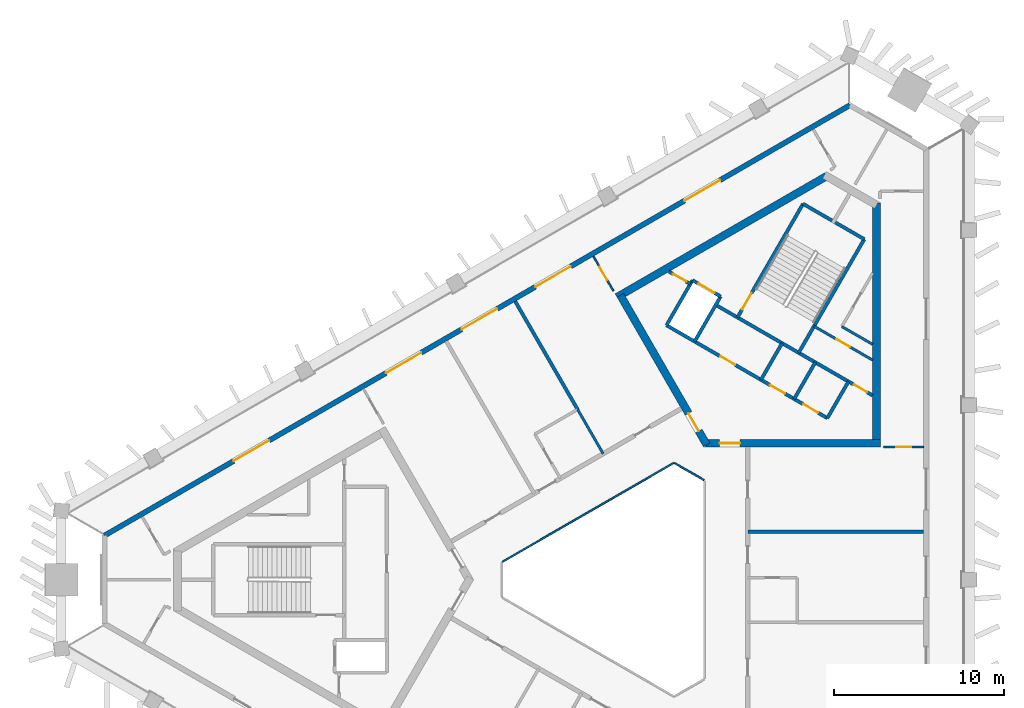
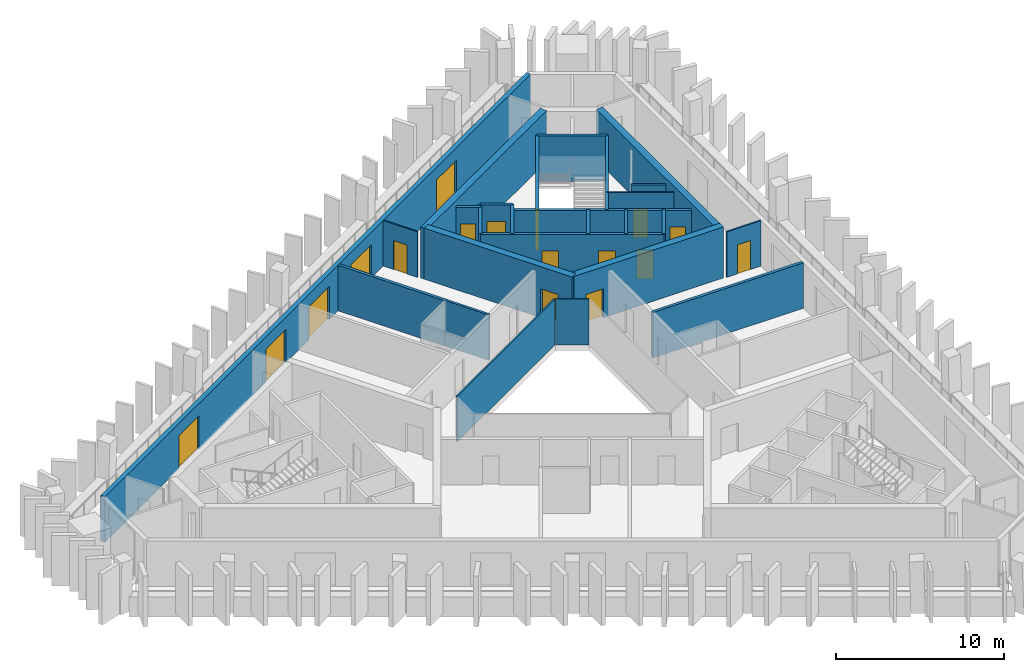
# One storey, part 5 of 9: 26 walls, 17 doors, 17 openings.
"""IFC4 building model written with IfcOpenShell, lengths in metres."""

import ifcopenshell
import ifcopenshell.guid

model = None  # the IFC model being written
_history = None  # IfcOwnerHistory: only IFC2X3 demands one
_inside = {}  # id of a spatial element -> (the spatial element, [elements in it])
_under = {}  # id of a project, library or spatial element -> (it, [spatial elements below it])
_declared = {}  # id of a project -> (the project, [libraries it declares])
_typed = {}  # id of a type object -> (the type object, [elements of that type])
_made_of = {}  # id of a material, layer set ... -> (it, [elements and type objects made of it])


def new_model(schema):
    """Start an empty IFC model of exactly this schema.

    Asked for "IFC4X3", IfcOpenShell would pick the latest addendum, in which some entities
    have other attributes; the version numbers below select the first issue.
    IFC2X3 requires an IfcOwnerHistory on every rooted entity: one is made here for all.
    """
    global model, _history
    if schema == "IFC4X3":
        model = ifcopenshell.file(schema_version=(4, 3, 0, 0))
    else:
        model = ifcopenshell.file(schema=schema)
    _inside.clear()
    _under.clear()
    _declared.clear()
    _typed.clear()
    _made_of.clear()
    _history = None
    if model.schema == "IFC2X3":
        org = make("IfcOrganization", Name="unknown")
        user = make(
            "IfcPersonAndOrganization",
            ThePerson=make("IfcPerson", FamilyName="unknown"),
            TheOrganization=org,
        )
        app = make(
            "IfcApplication",
            ApplicationDeveloper=org,
            Version="unknown",
            ApplicationFullName="unknown",
            ApplicationIdentifier="unknown",
        )
        _history = make(
            "IfcOwnerHistory",
            OwningUser=user,
            OwningApplication=app,
            ChangeAction="ADDED",
            CreationDate=0,
        )
    return model


def make(cls, **values):
    """One entity of the class cls with the attributes given. An attribute that is None is left unset."""
    return model.create_entity(
        cls, **{name: value for name, value in values.items() if value is not None}
    )


def rooted(cls, **values):
    """An entity with a GlobalId (a new one), such as an element, a storey or a relation."""
    return make(cls, GlobalId=ifcopenshell.guid.new(), OwnerHistory=_history, **values)


def si_unit(unit_type, name, prefix=None):
    """IfcSIUnit, for example si_unit("LENGTHUNIT", "METRE", prefix="MILLI")."""
    return make("IfcSIUnit", UnitType=unit_type, Prefix=prefix, Name=name)


def assignment(units):
    """IfcUnitAssignment: the units of a project."""
    return None if units is None else make("IfcUnitAssignment", Units=units)


def point(xyz):
    """IfcCartesianPoint."""
    return None if xyz is None else make("IfcCartesianPoint", Coordinates=xyz)


def direction(xyz):
    """IfcDirection."""
    return None if xyz is None else make("IfcDirection", DirectionRatios=xyz)


def frame(location, z_axis=None, x_axis=None):
    """IfcAxis2Placement3D, a coordinate frame: its origin and axes. An axis left out is left unset."""
    return make(
        "IfcAxis2Placement3D",
        Location=point(location),
        Axis=direction(z_axis),
        RefDirection=direction(x_axis),
    )


def frame_2d(location, x_axis=None):
    """IfcAxis2Placement2D, a coordinate frame in the plane: its origin and x axis."""
    return make(
        "IfcAxis2Placement2D", Location=point(location), RefDirection=direction(x_axis)
    )


def origin():
    """The frame at (0, 0, 0) with its axes left unset."""
    return frame((0.0, 0.0, 0.0))


def place(relative_to, where):
    """IfcLocalPlacement: puts the frame where relative to a parent placement (None: the world)."""
    return make(
        "IfcLocalPlacement", PlacementRelTo=relative_to, RelativePlacement=where
    )


def context(
    kind, dimensions, precision=None, world=None, true_north=None, identifier=None
):
    """IfcGeometricRepresentationContext, for example the 3D "Model" context."""
    return make(
        "IfcGeometricRepresentationContext",
        ContextIdentifier=identifier,
        ContextType=kind,
        CoordinateSpaceDimension=dimensions,
        Precision=precision,
        WorldCoordinateSystem=world,
        TrueNorth=true_north,
    )


def subcontext(parent, identifier, kind, view, scale=None):
    """IfcGeometricRepresentationSubContext, for example "Body" below "Model"."""
    return make(
        "IfcGeometricRepresentationSubContext",
        ContextIdentifier=identifier,
        ContextType=kind,
        ParentContext=parent,
        TargetScale=scale,
        TargetView=view,
    )


def project(units=None, contexts=None):
    """IfcProject with its units and contexts."""
    return rooted(
        "IfcProject",
        Name="project",
        RepresentationContexts=contexts,
        UnitsInContext=assignment(units),
    )


def spatial(cls, under=None, at=None, **own):
    """A site, building, storey or space (cls), placed at a placement, below another one or the project."""
    s = rooted(cls, ObjectPlacement=at, **own)
    if under is not None:
        _under.setdefault(under.id(), (under, []))[1].append(s)
    return s


def profile(cls, at=None, kind="AREA", **sizes):
    """A parametric profile (cls). Its sizes go by their IFC names, for example OverallWidth=200.0."""
    return make(cls, ProfileType=kind, Position=at, **sizes)


def rectangle(**sizes):
    """IfcRectangleProfileDef."""
    return profile("IfcRectangleProfileDef", **sizes)


def extrude(swept, where, along, depth):
    """IfcExtrudedAreaSolid: the profile swept, set in the frame where, extruded along a direction by depth."""
    return make(
        "IfcExtrudedAreaSolid",
        SweptArea=swept,
        Position=where,
        ExtrudedDirection=direction(along),
        Depth=depth,
    )


def shape(context_of_items, identifier, shape_type, items):
    """IfcShapeRepresentation: the items that make up one representation, for example the "Body"."""
    return make(
        "IfcShapeRepresentation",
        ContextOfItems=context_of_items,
        RepresentationIdentifier=identifier,
        RepresentationType=shape_type,
        Items=items,
    )


def material(Name=None, Category=None):
    """IfcMaterial."""
    return make("IfcMaterial", Name=Name, Category=Category)


def layer(
    of_material, thickness, ventilated=None, Name=None, Category=None, Priority=None
):
    """IfcMaterialLayer: one layer of a wall or slab, of a material (None: an air gap)."""
    return make(
        "IfcMaterialLayer",
        Material=of_material,
        LayerThickness=thickness,
        IsVentilated=ventilated,
        Name=Name,
        Category=Category,
        Priority=Priority,
    )


def layer_set(layers, Name=None):
    """IfcMaterialLayerSet."""
    return make("IfcMaterialLayerSet", MaterialLayers=layers, LayerSetName=Name)


def made_of(thing, what):
    """Note that an element or type object is made of a material, layer set ...; save() writes the relation."""
    if what is not None:
        _made_of.setdefault(what.id(), (what, []))[1].append(thing)
    return thing


def type_object(cls, material=None, **own):
    """A type object (cls), such as IfcWallType, which elements share."""
    return made_of(rooted(cls, **own), material)


def element(
    cls,
    number,
    at=None,
    inside=None,
    cuts=None,
    type_object=None,
    material=None,
    context=None,
    identifier="Body",
    shape_type=None,
    held_by="IfcProductDefinitionShape",
    body=None,
    shapes=None,
    **own,
):
    """One element of the class cls, such as IfcWall. Its Tag is "e" and its number.

    at: its placement. inside: the storey or other place that contains it. cuts: it is an
    opening in that element (IfcRelVoidsElement). A single representation is given by context,
    identifier, shape_type and body (its items); several are given by shapes. held_by: the class
    of the entity that holds the representations. save() writes the other relations.
    """
    e = rooted(cls, Tag="e%d" % number, ObjectPlacement=at, **own)
    if body is not None:
        shapes = [shape(context, identifier, shape_type, body)]
    if shapes is not None:
        e.Representation = make(held_by, Representations=shapes)
    if inside is not None:
        _inside.setdefault(inside.id(), (inside, []))[1].append(e)
    if cuts is not None:
        rooted(
            "IfcRelVoidsElement", RelatingBuildingElement=cuts, RelatedOpeningElement=e
        )
    if type_object is not None:
        _typed.setdefault(type_object.id(), (type_object, []))[1].append(e)
    return made_of(e, material)


def fill(opening, filler):
    """IfcRelFillsElement: the door or window that sits in an opening."""
    return rooted(
        "IfcRelFillsElement",
        RelatingOpeningElement=opening,
        RelatedBuildingElement=filler,
    )


def aggregate(whole, parts):
    """IfcRelAggregates: a whole, such as a stair, and the parts it consists of."""
    return rooted("IfcRelAggregates", RelatingObject=whole, RelatedObjects=parts)


def save(model, path):
    """Write the relations noted so far, then the file.

    IfcRelAggregates (storeys below a building ...), IfcRelContainedInSpatialStructure (elements
    in a storey), IfcRelDefinesByType, IfcRelAssociatesMaterial and IfcRelDeclares: one each for
    every whole, place, type object, material and project.
    """
    for whole, parts in _under.values():
        aggregate(whole, parts)
    for where, things in _inside.values():
        rooted(
            "IfcRelContainedInSpatialStructure",
            RelatedElements=things,
            RelatingStructure=where,
        )
    for kind, things in _typed.values():
        rooted("IfcRelDefinesByType", RelatedObjects=things, RelatingType=kind)
    for what, things in _made_of.values():
        rooted("IfcRelAssociatesMaterial", RelatedObjects=things, RelatingMaterial=what)
    for by, libraries in _declared.values():
        rooted("IfcRelDeclares", RelatingContext=by, RelatedDefinitions=libraries)
    model.write(path)


model = new_model("IFC4")

# Units and contexts
model_context = context("Model", 3, precision=1e-05, world=origin(), true_north=direction((0.0, 1.0)))
body_context = subcontext(model_context, "Body", "Model", "MODEL_VIEW")
ifc_project = project(units=[si_unit("LENGTHUNIT", "METRE"), si_unit("AREAUNIT", "SQUARE_METRE"), si_unit("VOLUMEUNIT", "CUBIC_METRE"), si_unit("PLANEANGLEUNIT", "RADIAN"), si_unit("MASSUNIT", "GRAM", prefix="KILO")], contexts=[model_context])

# Site, building, storey
site_placement = place(None, origin())
site = spatial("IfcSite", under=ifc_project, at=site_placement, CompositionType="ELEMENT")
building_placement = place(site_placement, origin())
building = spatial("IfcBuilding", under=site, at=building_placement, Name="Jabali Bay Hotel Tower and Convention Centre", CompositionType="ELEMENT")
storey_placement = place(building_placement, frame((0.0, 0.0, 224.300048828125)))
storey = spatial("IfcBuildingStorey", under=building, at=storey_placement, Name="L55", CompositionType="ELEMENT", Elevation=224.300048828125)

# Walls
ifc_material_1 = material(Name="Fire-resistant glazing", Category="glass")
ifc_layer_1 = layer(ifc_material_1, 0.10009765625)
ifc_layer_set_1 = layer_set([ifc_layer_1], Name="Fire-resistant glazing")
wall_type_1 = type_object("IfcWallType", Name="Atrium glazed screen 100", PredefinedType="PARTITIONING", material=ifc_layer_set_1)
wall_1_placement = place(storey_placement, frame((79.530029296875, 85.84619140625, 0.0), z_axis=(0.0, 0.0, 1.0), x_axis=(-0.866041268327, 0.499972520799, 0.0)))
element("IfcWall", 1, at=wall_1_placement, inside=storey, type_object=wall_type_1, Name="Atrium screen 2 L55", PredefinedType="PARTITIONING", context=body_context, shape_type="SweptSolid", body=[
    extrude(rectangle(XDim=2.0, YDim=0.10009765625, at=frame_2d((1.0, 0.0))), origin(), (0.0, 0.0, 1.0), 3.300048828125),
])
wall_2_placement = place(storey_placement, frame((77.738037109375, 86.84619140625, 0.0), z_axis=(0.0, 0.0, 1.0), x_axis=(-0.866026658274, -0.499997827154, 0.0)))
element("IfcWall", 2, at=wall_2_placement, inside=storey, type_object=wall_type_1, Name="Atrium screen 3 L55", PredefinedType="PARTITIONING", context=body_context, shape_type="SweptSolid", body=[
    extrude(rectangle(XDim=11.58837890625, YDim=0.10009765625, at=frame_2d((5.794189453125, 0.0))), origin(), (0.0, 0.0, 1.0), 3.300048828125),
])

# Wall, opening, door
ifc_material_2 = material(Name="Concrete C40", Category="concrete")
ifc_layer_2 = layer(ifc_material_2, 0.199951171875)
ifc_layer_set_2 = layer_set([ifc_layer_2], Name="Concrete C40")
wall_type_2 = type_object("IfcWallType", Name="Core partition wall 200", PredefinedType="PARTITIONING", material=ifc_layer_set_2)
wall_3_placement = place(storey_placement, frame((78.730224609375, 97.36083984375, 0.0), z_axis=(0.0, 0.0, 1.0), x_axis=(-0.866045896294, 0.499964504253, 0.0)))
wall_3 = element("IfcWall", 3, at=wall_3_placement, inside=storey, type_object=wall_type_2, Name="Core wall 1.11 L55", PredefinedType="PARTITIONING", context=body_context, shape_type="SweptSolid", body=[
    extrude(rectangle(XDim=1.455078125, YDim=0.199951171875, at=frame_2d((0.7275390625, 0.0))), origin(), (0.0, 0.0, 1.0), 3.300048828125),
])
opening_1_placement = place(wall_3_placement, frame((0.277587890625, 0.0, 0.0)))
opening_1 = element("IfcOpeningElement", 4, at=opening_1_placement, cuts=wall_3, Name="Opening D1200", PredefinedType="OPENING", context=body_context, shape_type="SweptSolid", body=[
    extrude(rectangle(XDim=0.89990234375, YDim=2.10009765625, at=frame_2d((0.449951171875, 1.050048828125))), frame((0.0, 0.1103515625, 0.0), z_axis=(0.0, -1.0, 0.0), x_axis=(1.0, 0.0, 0.0)), (0.0, 0.0, 1.0), 0.220947265625),
])
ifc_material_3 = material(Name="Fire-rated steel door", Category="steel")
door_type_1 = type_object("IfcDoorType", Name="Vestibule fire door 900 x 2100", OperationType="NOTDEFINED", PredefinedType="NOTDEFINED", material=ifc_material_3)
door_1_placement = place(opening_1_placement, origin())
door_1 = element("IfcDoor", 5, at=door_1_placement, inside=storey, type_object=door_type_1, Name="Vestibule fire door D1200", OperationType="SINGLE_SWING_LEFT", OverallHeight=2.10009765625, OverallWidth=0.89990234375, PredefinedType="NOTDEFINED", context=body_context, shape_type="SweptSolid", body=[
    extrude(rectangle(XDim=0.89990234375, YDim=2.10009765625, at=frame_2d((0.449951171875, 1.050048828125))), frame((0.0, 0.02490234375, 0.0), z_axis=(0.0, -1.0, 0.0), x_axis=(1.0, 0.0, 0.0)), (0.0, 0.0, 1.0), 0.050048828125),
])
fill(opening_1, door_1)

ifc_material_4 = material(Name="Fire-rated board partition")
ifc_layer_3 = layer(ifc_material_4, 0.14990234375)
ifc_layer_set_3 = layer_set([ifc_layer_3], Name="Fire-rated board partition")
wall_type_3 = type_object("IfcWallType", Name="Core room partition 150", PredefinedType="PARTITIONING", material=ifc_layer_set_3)
wall_4_placement = place(storey_placement, frame((89.429931640625, 92.892333984375, 0.0), z_axis=(0.0, 0.0, 1.0), x_axis=(-0.866019912421, 0.500009511199, 0.0)))
wall_4 = element("IfcWall", 6, at=wall_4_placement, inside=storey, type_object=wall_type_3, Name="Core wall 1.13 L55", PredefinedType="PARTITIONING", context=body_context, shape_type="SweptSolid", body=[
    extrude(rectangle(XDim=3.9755859375, YDim=0.14990234375, at=frame_2d((1.98779296875, 0.0))), origin(), (0.0, 0.0, 1.0), 3.300048828125),
])
opening_2_placement = place(wall_4_placement, frame((1.537841796875, 0.0, 0.0)))
opening_2 = element("IfcOpeningElement", 7, at=opening_2_placement, cuts=wall_4, Name="Opening D1199", PredefinedType="OPENING", context=body_context, shape_type="SweptSolid", body=[
    extrude(rectangle(XDim=0.89990234375, YDim=2.10009765625, at=frame_2d((0.449951171875, 1.050048828125))), frame((0.0, 0.08544921875, 0.0), z_axis=(0.0, -1.0, 0.0), x_axis=(1.0, 0.0, 0.0)), (0.0, 0.0, 1.0), 0.1708984375),
])
door_type_2 = type_object("IfcDoorType", Name="Core room door 900 x 2100", OperationType="NOTDEFINED", PredefinedType="NOTDEFINED", material=ifc_material_3)
door_2_placement = place(opening_2_placement, origin())
door_2 = element("IfcDoor", 8, at=door_2_placement, inside=storey, type_object=door_type_2, Name="Core room door D1199", OperationType="SINGLE_SWING_RIGHT", OverallHeight=2.10009765625, OverallWidth=0.89990234375, PredefinedType="NOTDEFINED", context=body_context, shape_type="SweptSolid", body=[
    extrude(rectangle(XDim=0.89990234375, YDim=2.10009765625, at=frame_2d((0.449951171875, 1.050048828125))), frame((0.0, 0.02490234375, 0.0), z_axis=(0.0, -1.0, 0.0), x_axis=(1.0, 0.0, 0.0)), (0.0, 0.0, 1.0), 0.050048828125),
])
fill(opening_2, door_2)

# Walls
wall_5_placement = place(storey_placement, frame((89.429931640625, 93.81591796875, 0.0), z_axis=(0.0, 0.0, 1.0), x_axis=(-0.866004557827, 0.500036104519, 0.0)))
element("IfcWall", 9, at=wall_5_placement, inside=storey, type_object=wall_type_3, Name="Core wall 1.14 L55", PredefinedType="PARTITIONING", context=body_context, shape_type="SweptSolid", body=[
    extrude(rectangle(XDim=2.088623046875, YDim=0.14990234375, at=frame_2d((1.04443359375, 0.0))), origin(), (0.0, 0.0, 1.0), 3.300048828125),
])
ifc_layer_4 = layer(ifc_material_2, 0.199951171875)
ifc_layer_set_4 = layer_set([ifc_layer_4], Name="Concrete C40")
wall_type_4 = type_object("IfcWallType", Name="Core stair wall 200", PredefinedType="SOLIDWALL", material=ifc_layer_set_4)
for number, where, z_axis, x_axis, name in (
    (10, (86.769775390625, 89.48583984375, 0.0), (0.0, 0.0, 1.0), (0.499961042966, 0.86604789447, 0.0), "Core wall 1.0 L55"),
    (11, (84.8212890625, 90.61083984375, 0.0), (0.0, 0.0, 1.0), (0.499961042966, 0.86604789447, 0.0), "Core wall 1.2 L55"),
):
    element("IfcWall", number, at=place(storey_placement, frame(where, z_axis=z_axis, x_axis=x_axis)), inside=storey, type_object=wall_type_4, Name=name, PredefinedType="SOLIDWALL", context=body_context, shape_type="SweptSolid", body=[
        extrude(rectangle(XDim=2.480224609375, YDim=0.199951171875, at=frame_2d((1.240234375, 0.0))), origin(), (0.0, 0.0, 1.0), 3.300048828125),
    ])
wall_6_placement = place(storey_placement, frame((85.0869140625, 93.3212890625, 0.0), z_axis=(0.0, 0.0, 1.0), x_axis=(0.500019787375, 0.866013979237, 0.0)))
element("IfcWall", 12, at=wall_6_placement, inside=storey, type_object=wall_type_4, Name="Core wall 1.3 L55", PredefinedType="SOLIDWALL", context=body_context, shape_type="SweptSolid", body=[
    extrude(rectangle(XDim=7.699951171875, YDim=0.199951171875, at=frame_2d((3.85009765625, 0.0))), origin(), (0.0, 0.0, 1.0), 3.300048828125),
])
wall_7_placement = place(storey_placement, frame((82.872802734375, 91.73583984375, 0.0), z_axis=(0.0, 0.0, 1.0), x_axis=(0.499961042966, 0.86604789447, 0.0)))
element("IfcWall", 13, at=wall_7_placement, inside=storey, type_object=wall_type_4, Name="Core wall 1.4 L55", PredefinedType="SOLIDWALL", context=body_context, shape_type="SweptSolid", body=[
    extrude(rectangle(XDim=2.480224609375, YDim=0.199951171875, at=frame_2d((1.240234375, 0.0))), origin(), (0.0, 0.0, 1.0), 3.300048828125),
])

# Wall, opening, door
wall_8_placement = place(storey_placement, frame((81.492919921875, 95.396240234375, 0.0), z_axis=(0.0, 0.0, 1.0), x_axis=(0.500006057782, 0.866021906294, 0.0)))
wall_8 = element("IfcWall", 14, at=wall_8_placement, inside=storey, type_object=wall_type_4, Name="Core wall 1.6 L55", PredefinedType="SOLIDWALL", context=body_context, shape_type="SweptSolid", body=[
    extrude(rectangle(XDim=7.7001953125, YDim=0.199951171875, at=frame_2d((3.85009765625, 0.0))), origin(), (0.0, 0.0, 1.0), 3.300048828125),
])
opening_3_placement = place(wall_8_placement, frame((0.550048828125, 0.0, 0.0)))
opening_3 = element("IfcOpeningElement", 15, at=opening_3_placement, cuts=wall_8, Name="Opening D1202", PredefinedType="OPENING", context=body_context, shape_type="SweptSolid", body=[
    extrude(rectangle(XDim=1.10009765625, YDim=2.10009765625, at=frame_2d((0.550048828125, 1.050048828125))), frame((0.0, 0.1103515625, 0.0), z_axis=(0.0, -1.0, 0.0), x_axis=(1.0, 0.0, 0.0)), (0.0, 0.0, 1.0), 0.220947265625),
])
door_type_3 = type_object("IfcDoorType", Name="Stair fire door 1100 x 2100", OperationType="NOTDEFINED", PredefinedType="NOTDEFINED", material=ifc_material_3)
door_3_placement = place(opening_3_placement, origin())
door_3 = element("IfcDoor", 16, at=door_3_placement, inside=storey, type_object=door_type_3, Name="Stair fire door D1202", OperationType="SINGLE_SWING_RIGHT", OverallHeight=2.10009765625, OverallWidth=1.10009765625, PredefinedType="NOTDEFINED", context=body_context, shape_type="SweptSolid", body=[
    extrude(rectangle(XDim=1.10009765625, YDim=2.10009765625, at=frame_2d((0.550048828125, 1.050048828125))), frame((0.0, 0.02490234375, 0.0), z_axis=(0.0, -1.0, 0.0), x_axis=(1.0, 0.0, 0.0)), (0.0, 0.0, 1.0), 0.050048828125),
])
fill(opening_3, door_3)

# Walls
for number, where, z_axis, x_axis, name in (
    (17, (78.9755859375, 93.98583984375, 0.0), (0.0, 0.0, 1.0), (0.499944174705, 0.866057632134, 0.0), "Core wall 1.7 L55"),
    (18, (77.330078125, 94.93603515625, 0.0), (0.0, 0.0, 1.0), (0.500038867431, 0.8660029625, 0.0), "Core wall 1.8 L55"),
):
    element("IfcWall", number, at=place(storey_placement, frame(where, z_axis=z_axis, x_axis=x_axis)), inside=storey, type_object=wall_type_4, Name=name, PredefinedType="SOLIDWALL", context=body_context, shape_type="SweptSolid", body=[
        extrude(rectangle(XDim=3.050048828125, YDim=0.199951171875, at=frame_2d((1.52490234375, 0.0))), origin(), (0.0, 0.0, 1.0), 3.300048828125),
    ])

# Wall, openings, doors
wall_9_placement = place(storey_placement, frame((86.769775390625, 89.48583984375, 0.0), z_axis=(0.0, 0.0, 1.0), x_axis=(-0.86601811187, 0.500012629753, 0.0)))
wall_9 = element("IfcWall", 19, at=wall_9_placement, inside=storey, type_object=wall_type_4, Name="Core wall 1.9 L55", PredefinedType="SOLIDWALL", context=body_context, shape_type="SweptSolid", body=[
    extrude(rectangle(XDim=10.900146484375, YDim=0.199951171875, at=frame_2d((5.4501953125, 0.0))), origin(), (0.0, 0.0, 1.0), 3.300048828125),
])
opening_4_placement = place(wall_9_placement, frame((0.625, 0.0, 0.0)))
opening_4 = element("IfcOpeningElement", 20, at=opening_4_placement, cuts=wall_9, Name="Opening D1196", PredefinedType="OPENING", context=body_context, shape_type="SweptSolid", body=[
    extrude(rectangle(XDim=1.0, YDim=2.10009765625, at=frame_2d((0.5, 1.050048828125))), frame((0.0, 0.1103515625, 0.0), z_axis=(0.0, -1.0, 0.0), x_axis=(1.0, 0.0, 0.0)), (0.0, 0.0, 1.0), 0.220947265625),
])
opening_5_placement = place(wall_9_placement, frame((2.875, 0.0, 0.0)))
opening_5 = element("IfcOpeningElement", 21, at=opening_5_placement, cuts=wall_9, Name="Opening D1197", PredefinedType="OPENING", context=body_context, shape_type="SweptSolid", body=[
    extrude(rectangle(XDim=1.0, YDim=2.10009765625, at=frame_2d((0.5, 1.050048828125))), frame((0.0, 0.1103515625, 0.0), z_axis=(0.0, -1.0, 0.0), x_axis=(1.0, 0.0, 0.0)), (0.0, 0.0, 1.0), 0.220947265625),
])
opening_6_placement = place(wall_9_placement, frame((6.25, 0.0, 0.0)))
opening_6 = element("IfcOpeningElement", 22, at=opening_6_placement, cuts=wall_9, Name="Opening D1198", PredefinedType="OPENING", context=body_context, shape_type="SweptSolid", body=[
    extrude(rectangle(XDim=1.0, YDim=2.10009765625, at=frame_2d((0.5, 1.050048828125))), frame((0.0, 0.1103515625, 0.0), z_axis=(0.0, -1.0, 0.0), x_axis=(1.0, 0.0, 0.0)), (0.0, 0.0, 1.0), 0.220947265625),
])
door_type_4 = type_object("IfcDoorType", Name="Core room door 1000 x 2100", OperationType="NOTDEFINED", PredefinedType="NOTDEFINED", material=ifc_material_3)
door_4_placement = place(opening_4_placement, origin())
door_4 = element("IfcDoor", 23, at=door_4_placement, inside=storey, type_object=door_type_4, Name="Core room door D1196", OperationType="SINGLE_SWING_RIGHT", OverallHeight=2.10009765625, OverallWidth=1.0, PredefinedType="NOTDEFINED", context=body_context, shape_type="SweptSolid", body=[
    extrude(rectangle(XDim=1.0, YDim=2.10009765625, at=frame_2d((0.5, 1.050048828125))), frame((0.0, 0.02490234375, 0.0), z_axis=(0.0, -1.0, 0.0), x_axis=(1.0, 0.0, 0.0)), (0.0, 0.0, 1.0), 0.050048828125),
])
fill(opening_4, door_4)
door_5_placement = place(opening_5_placement, origin())
door_5 = element("IfcDoor", 24, at=door_5_placement, inside=storey, type_object=door_type_4, Name="Core room door D1197", OperationType="SINGLE_SWING_RIGHT", OverallHeight=2.10009765625, OverallWidth=1.0, PredefinedType="NOTDEFINED", context=body_context, shape_type="SweptSolid", body=[
    extrude(rectangle(XDim=1.0, YDim=2.10009765625, at=frame_2d((0.5, 1.050048828125))), frame((0.0, 0.02490234375, 0.0), z_axis=(0.0, -1.0, 0.0), x_axis=(1.0, 0.0, 0.0)), (0.0, 0.0, 1.0), 0.050048828125),
])
fill(opening_5, door_5)
door_6_placement = place(opening_6_placement, origin())
door_6 = element("IfcDoor", 25, at=door_6_placement, inside=storey, type_object=door_type_4, Name="Core room door D1198", OperationType="SINGLE_SWING_RIGHT", OverallHeight=2.10009765625, OverallWidth=1.0, PredefinedType="NOTDEFINED", context=body_context, shape_type="SweptSolid", body=[
    extrude(rectangle(XDim=1.0, YDim=2.10009765625, at=frame_2d((0.5, 1.050048828125))), frame((0.0, 0.02490234375, 0.0), z_axis=(0.0, -1.0, 0.0), x_axis=(1.0, 0.0, 0.0)), (0.0, 0.0, 1.0), 0.050048828125),
])
fill(opening_6, door_6)

# Wall, opening, door
wall_10_placement = place(storey_placement, frame((89.429931640625, 90.813720703125, 0.0), z_axis=(0.0, 0.0, 1.0), x_axis=(-0.866018983788, 0.500011119594, 0.0)))
wall_10 = element("IfcWall", 26, at=wall_10_placement, inside=storey, type_object=wall_type_4, Name="Core wall 1.10 L55", PredefinedType="SOLIDWALL", context=body_context, shape_type="SweptSolid", body=[
    extrude(rectangle(XDim=10.639892578125, YDim=0.199951171875, at=frame_2d((5.31982421875, 0.0))), origin(), (0.0, 0.0, 1.0), 3.300048828125),
])
opening_7_placement = place(wall_10_placement, frame((0.369873046875, 0.0, 0.0)))
opening_7 = element("IfcOpeningElement", 27, at=opening_7_placement, cuts=wall_10, Name="Opening D1201", PredefinedType="OPENING", context=body_context, shape_type="SweptSolid", body=[
    extrude(rectangle(XDim=0.89990234375, YDim=2.10009765625, at=frame_2d((0.449951171875, 1.050048828125))), frame((0.0, 0.1103515625, 0.0), z_axis=(0.0, -1.0, 0.0), x_axis=(1.0, 0.0, 0.0)), (0.0, 0.0, 1.0), 0.220947265625),
])
door_7_placement = place(opening_7_placement, origin())
door_7 = element("IfcDoor", 28, at=door_7_placement, inside=storey, type_object=door_type_1, Name="Vestibule fire door D1201", OperationType="SINGLE_SWING_LEFT", OverallHeight=2.10009765625, OverallWidth=0.89990234375, PredefinedType="NOTDEFINED", context=body_context, shape_type="SweptSolid", body=[
    extrude(rectangle(XDim=0.89990234375, YDim=2.10009765625, at=frame_2d((0.449951171875, 1.050048828125))), frame((0.0, 0.02490234375, 0.0), z_axis=(0.0, -1.0, 0.0), x_axis=(1.0, 0.0, 0.0)), (0.0, 0.0, 1.0), 0.050048828125),
])
fill(opening_7, door_7)

wall_11_placement = place(storey_placement, frame((80.50048828125, 96.62744140625, 0.0), z_axis=(0.0, 0.0, 1.0), x_axis=(-0.86601224135, 0.500022797313, 0.0)))
wall_11 = element("IfcWall", 29, at=wall_11_placement, inside=storey, type_object=wall_type_4, Name="Core wall 1.12 L55", PredefinedType="SOLIDWALL", context=body_context, shape_type="SweptSolid", body=[
    extrude(rectangle(XDim=1.89990234375, YDim=0.199951171875, at=frame_2d((0.949951171875, 0.0))), origin(), (0.0, 0.0, 1.0), 3.300048828125),
])
opening_8_placement = place(wall_11_placement, frame((0.39990234375, 0.0, 0.0)))
opening_8 = element("IfcOpeningElement", 30, at=opening_8_placement, cuts=wall_11, Name="Opening LD10-L55", PredefinedType="OPENING", context=body_context, shape_type="SweptSolid", body=[
    extrude(rectangle(XDim=1.10009765625, YDim=2.10009765625, at=frame_2d((0.550048828125, 1.050048828125))), frame((0.0, 0.1103515625, 0.0), z_axis=(0.0, -1.0, 0.0), x_axis=(1.0, 0.0, 0.0)), (0.0, 0.0, 1.0), 0.220947265625),
])
ifc_material_5 = material(Name="Stainless steel landing door", Category="steel")
door_type_5 = type_object("IfcDoorType", Name="Landing door 1100 x 2100", OperationType="NOTDEFINED", PredefinedType="NOTDEFINED", material=ifc_material_5)
door_8_placement = place(opening_8_placement, origin())
door_8 = element("IfcDoor", 31, at=door_8_placement, inside=storey, type_object=door_type_5, Name="Landing doors LD10-L55", OperationType="SLIDING_TO_RIGHT", OverallHeight=2.10009765625, OverallWidth=1.10009765625, PredefinedType="NOTDEFINED", context=body_context, shape_type="SweptSolid", body=[
    extrude(rectangle(XDim=1.10009765625, YDim=2.10009765625, at=frame_2d((0.550048828125, 1.050048828125))), frame((0.0, 0.02490234375, 0.0), z_axis=(0.0, -1.0, 0.0), x_axis=(1.0, 0.0, 0.0)), (0.0, 0.0, 1.0), 0.050048828125),
])
fill(opening_8, door_8)

# Wall
wall_12_placement = place(storey_placement, frame((88.93701171875, 99.989501953125, 0.0), z_axis=(0.0, 0.0, 1.0), x_axis=(-0.866004344652, 0.500036473714, 0.0)))
element("IfcWall", 32, at=wall_12_placement, inside=storey, type_object=wall_type_4, Name="Core wall 1.15 L55", PredefinedType="SOLIDWALL", context=body_context, shape_type="SweptSolid", body=[
    extrude(rectangle(XDim=4.150146484375, YDim=0.199951171875, at=frame_2d((2.0751953125, 0.0))), origin(), (0.0, 0.0, 1.0), 3.300048828125),
])

# Wall, opening, door
ifc_material_6 = material(Name="Concrete C60", Category="concrete")
ifc_layer_5 = layer(ifc_material_6, 0.449951171875)
ifc_layer_set_5 = layer_set([ifc_layer_5], Name="Concrete C60")
wall_type_5 = type_object("IfcWallType", Name="Core wall 450", PredefinedType="SHEAR", material=ifc_layer_set_5)
wall_13_placement = place(storey_placement, frame((79.6298828125, 88.019287109375, 0.0), z_axis=(0.0, 0.0, 1.0), x_axis=(1.0, 0.0, 0.0)))
wall_13 = element("IfcWall", 33, at=wall_13_placement, inside=storey, type_object=wall_type_5, Name="Core wall 2.1 L55", PredefinedType="SHEAR", context=body_context, shape_type="SweptSolid", body=[
    extrude(rectangle(XDim=10.25, YDim=0.449951171875, at=frame_2d((5.125, 0.0))), origin(), (0.0, 0.0, 1.0), 3.699951171875),
])
opening_9_placement = place(wall_13_placement, frame((0.820068359375, 0.0, 0.0)))
opening_9 = element("IfcOpeningElement", 34, at=opening_9_placement, cuts=wall_13, Name="Opening D1194", PredefinedType="OPENING", context=body_context, shape_type="SweptSolid", body=[
    extrude(rectangle(XDim=1.199951171875, YDim=2.10009765625, at=frame_2d((0.60009765625, 1.050048828125))), frame((0.0, 0.2353515625, 0.0), z_axis=(0.0, -1.0, 0.0), x_axis=(1.0, 0.0, 0.0)), (0.0, 0.0, 1.0), 0.470947265625),
])
door_type_6 = type_object("IfcDoorType", Name="Corridor end fire door 1200 x 2100", OperationType="NOTDEFINED", PredefinedType="NOTDEFINED", material=ifc_material_3)
door_9_placement = place(opening_9_placement, origin())
door_9 = element("IfcDoor", 35, at=door_9_placement, inside=storey, type_object=door_type_6, Name="Corridor end fire door D1194", OperationType="SINGLE_SWING_RIGHT", OverallHeight=2.10009765625, OverallWidth=1.199951171875, PredefinedType="NOTDEFINED", context=body_context, shape_type="SweptSolid", body=[
    extrude(rectangle(XDim=1.199951171875, YDim=2.10009765625, at=frame_2d((0.60009765625, 1.050048828125))), frame((0.0, 0.02490234375, 0.0), z_axis=(0.0, -1.0, 0.0), x_axis=(1.0, 0.0, 0.0)), (0.0, 0.0, 1.0), 0.050048828125),
])
fill(opening_9, door_9)

# Walls
wall_14_placement = place(storey_placement, frame((89.655029296875, 88.019287109375, 0.0), z_axis=(0.0, 0.0, 1.0), x_axis=(0.0, 1.0, 0.0)))
element("IfcWall", 36, at=wall_14_placement, inside=storey, type_object=wall_type_5, Name="Core wall 2.2 L55", PredefinedType="SHEAR", context=body_context, shape_type="SweptSolid", body=[
    extrude(rectangle(XDim=14.1083984375, YDim=0.449951171875, at=frame_2d((7.05419921875, 0.0))), origin(), (0.0, 0.0, 1.0), 3.699951171875),
])
wall_15_placement = place(storey_placement, frame((86.72314453125, 103.6904296875, 0.0), z_axis=(0.0, 0.0, 1.0), x_axis=(-0.866022713978, -0.500004658852, 0.0)))
element("IfcWall", 37, at=wall_15_placement, inside=storey, type_object=wall_type_5, Name="Core wall 2.4 L55", PredefinedType="SHEAR", context=body_context, shape_type="SweptSolid", body=[
    extrude(rectangle(XDim=14.203369140625, YDim=0.449951171875, at=frame_2d((7.1015625, 0.0))), origin(), (0.0, 0.0, 1.0), 3.699951171875),
])

# Wall, opening, door
wall_16_placement = place(storey_placement, frame((74.617431640625, 96.701171875, 0.0), z_axis=(0.0, 0.0, 1.0), x_axis=(0.499994385119, -0.866028645513, 0.0)))
wall_16 = element("IfcWall", 38, at=wall_16_placement, inside=storey, type_object=wall_type_5, Name="Core wall 2.5 L55", PredefinedType="SHEAR", context=body_context, shape_type="SweptSolid", body=[
    extrude(rectangle(XDim=10.15478515625, YDim=0.449951171875, at=frame_2d((5.077392578125, 0.0))), origin(), (0.0, 0.0, 1.0), 3.699951171875),
])
opening_10_placement = place(wall_16_placement, frame((8.0048828125, 0.0, 0.0)))
opening_10 = element("IfcOpeningElement", 39, at=opening_10_placement, cuts=wall_16, Name="Opening D1195", PredefinedType="OPENING", context=body_context, shape_type="SweptSolid", body=[
    extrude(rectangle(XDim=1.199951171875, YDim=2.10009765625, at=frame_2d((0.60009765625, 1.050048828125))), frame((0.0, 0.2353515625, 0.0), z_axis=(0.0, -1.0, 0.0), x_axis=(1.0, 0.0, 0.0)), (0.0, 0.0, 1.0), 0.470947265625),
])
door_10_placement = place(opening_10_placement, origin())
door_10 = element("IfcDoor", 40, at=door_10_placement, inside=storey, type_object=door_type_6, Name="Corridor end fire door D1195", OperationType="SINGLE_SWING_LEFT", OverallHeight=2.10009765625, OverallWidth=1.199951171875, PredefinedType="NOTDEFINED", context=body_context, shape_type="SweptSolid", body=[
    extrude(rectangle(XDim=1.199951171875, YDim=2.10009765625, at=frame_2d((0.60009765625, 1.050048828125))), frame((0.0, 0.02490234375, 0.0), z_axis=(0.0, -1.0, 0.0), x_axis=(1.0, 0.0, 0.0)), (0.0, 0.0, 1.0), 0.050048828125),
])
fill(opening_10, door_10)

# Wall, openings, doors
ifc_layer_6 = layer(ifc_material_2, 0.300048828125)
ifc_layer_set_6 = layer_set([ifc_layer_6], Name="Concrete C40")
wall_type_6 = type_object("IfcWallType", Name="External wall 300", PredefinedType="SOLIDWALL", material=ifc_layer_set_6)
wall_17_placement = place(storey_placement, frame((44.32373046875, 82.58544921875, 0.0), z_axis=(0.0, 0.0, 1.0), x_axis=(0.86602584856, 0.499999229625, 0.0)))
wall_17 = element("IfcWall", 41, at=wall_17_placement, inside=storey, type_object=wall_type_6, Name="External wall north-west face L55", PredefinedType="SOLIDWALL", context=body_context, shape_type="SweptSolid", body=[
    extrude(rectangle(XDim=50.54736328125, YDim=0.300048828125, at=frame_2d((25.273681640625, 0.0))), origin(), (0.0, 0.0, 1.0), 3.300048828125),
])
opening_11_placement = place(wall_17_placement, frame((24.229736328125, 0.0, 0.0)))
opening_11 = element("IfcOpeningElement", 42, at=opening_11_placement, cuts=wall_17, Name="Opening SD1", PredefinedType="OPENING", context=body_context, shape_type="SweptSolid", body=[
    extrude(rectangle(XDim=2.39990234375, YDim=2.39990234375, at=frame_2d((1.199951171875, 1.199951171875))), frame((0.0, 0.16064453125, 0.0), z_axis=(0.0, -1.0, 0.0), x_axis=(1.0, 0.0, 0.0)), (0.0, 0.0, 1.0), 0.321044921875),
])
opening_12_placement = place(wall_17_placement, frame((29.218017578125, 0.0, 0.0)))
opening_12 = element("IfcOpeningElement", 43, at=opening_12_placement, cuts=wall_17, Name="Opening SD1", PredefinedType="OPENING", context=body_context, shape_type="SweptSolid", body=[
    extrude(rectangle(XDim=2.39990234375, YDim=2.39990234375, at=frame_2d((1.199951171875, 1.199951171875))), frame((0.0, 0.16064453125, 0.0), z_axis=(0.0, -1.0, 0.0), x_axis=(1.0, 0.0, 0.0)), (0.0, 0.0, 1.0), 0.321044921875),
])
opening_13_placement = place(wall_17_placement, frame((39.328125, 0.0, 0.0)))
opening_13 = element("IfcOpeningElement", 44, at=opening_13_placement, cuts=wall_17, Name="Opening SD1", PredefinedType="OPENING", context=body_context, shape_type="SweptSolid", body=[
    extrude(rectangle(XDim=2.39990234375, YDim=2.39990234375, at=frame_2d((1.199951171875, 1.199951171875))), frame((0.0, 0.16064453125, 0.0), z_axis=(0.0, -1.0, 0.0), x_axis=(1.0, 0.0, 0.0)), (0.0, 0.0, 1.0), 0.321044921875),
])
opening_14_placement = place(wall_17_placement, frame((19.08544921875, 0.0, 0.0)))
opening_14 = element("IfcOpeningElement", 45, at=opening_14_placement, cuts=wall_17, Name="Opening SD1", PredefinedType="OPENING", context=body_context, shape_type="SweptSolid", body=[
    extrude(rectangle(XDim=2.39990234375, YDim=2.39990234375, at=frame_2d((1.199951171875, 1.199951171875))), frame((0.0, 0.16064453125, 0.0), z_axis=(0.0, -1.0, 0.0), x_axis=(1.0, 0.0, 0.0)), (0.0, 0.0, 1.0), 0.321044921875),
])
opening_15_placement = place(wall_17_placement, frame((8.7705078125, 0.0, 0.0)))
opening_15 = element("IfcOpeningElement", 46, at=opening_15_placement, cuts=wall_17, Name="Opening SD1", PredefinedType="OPENING", context=body_context, shape_type="SweptSolid", body=[
    extrude(rectangle(XDim=2.39990234375, YDim=2.39990234375, at=frame_2d((1.199951171875, 1.199951171875))), frame((0.0, 0.16064453125, 0.0), z_axis=(0.0, -1.0, 0.0), x_axis=(1.0, 0.0, 0.0)), (0.0, 0.0, 1.0), 0.321044921875),
])
ifc_material_7 = material(Name="Glass", Category="glass")
door_type_7 = type_object("IfcDoorType", Name="Loggia sliding door 2400 x 2400", OperationType="NOTDEFINED", PredefinedType="NOTDEFINED", material=ifc_material_7)
door_11_placement = place(opening_11_placement, origin())
door_11 = element("IfcDoor", 47, at=door_11_placement, inside=storey, type_object=door_type_7, Name="Loggia sliding door 5505", OperationType="SLIDING_TO_LEFT", OverallHeight=2.39990234375, OverallWidth=2.39990234375, PredefinedType="NOTDEFINED", context=body_context, shape_type="SweptSolid", body=[
    extrude(rectangle(XDim=2.39990234375, YDim=2.39990234375, at=frame_2d((1.199951171875, 1.199951171875))), frame((0.0, 0.02490234375, 0.0), z_axis=(0.0, -1.0, 0.0), x_axis=(1.0, 0.0, 0.0)), (0.0, 0.0, 1.0), 0.050048828125),
])
fill(opening_11, door_11)
door_12_placement = place(opening_12_placement, origin())
door_12 = element("IfcDoor", 48, at=door_12_placement, inside=storey, type_object=door_type_7, Name="Loggia sliding door 5504", OperationType="SLIDING_TO_RIGHT", OverallHeight=2.39990234375, OverallWidth=2.39990234375, PredefinedType="NOTDEFINED", context=body_context, shape_type="SweptSolid", body=[
    extrude(rectangle(XDim=2.39990234375, YDim=2.39990234375, at=frame_2d((1.199951171875, 1.199951171875))), frame((0.0, 0.02490234375, 0.0), z_axis=(0.0, -1.0, 0.0), x_axis=(1.0, 0.0, 0.0)), (0.0, 0.0, 1.0), 0.050048828125),
])
fill(opening_12, door_12)
door_13_placement = place(opening_13_placement, origin())
door_13 = element("IfcDoor", 49, at=door_13_placement, inside=storey, type_object=door_type_7, Name="Loggia sliding door 5504", OperationType="SLIDING_TO_LEFT", OverallHeight=2.39990234375, OverallWidth=2.39990234375, PredefinedType="NOTDEFINED", context=body_context, shape_type="SweptSolid", body=[
    extrude(rectangle(XDim=2.39990234375, YDim=2.39990234375, at=frame_2d((1.199951171875, 1.199951171875))), frame((0.0, 0.02490234375, 0.0), z_axis=(0.0, -1.0, 0.0), x_axis=(1.0, 0.0, 0.0)), (0.0, 0.0, 1.0), 0.050048828125),
])
fill(opening_13, door_13)
door_14_placement = place(opening_14_placement, origin())
door_14 = element("IfcDoor", 50, at=door_14_placement, inside=storey, type_object=door_type_7, Name="Loggia sliding door 5506", OperationType="SLIDING_TO_RIGHT", OverallHeight=2.39990234375, OverallWidth=2.39990234375, PredefinedType="NOTDEFINED", context=body_context, shape_type="SweptSolid", body=[
    extrude(rectangle(XDim=2.39990234375, YDim=2.39990234375, at=frame_2d((1.199951171875, 1.199951171875))), frame((0.0, 0.02490234375, 0.0), z_axis=(0.0, -1.0, 0.0), x_axis=(1.0, 0.0, 0.0)), (0.0, 0.0, 1.0), 0.050048828125),
])
fill(opening_14, door_14)
door_15_placement = place(opening_15_placement, origin())
door_15 = element("IfcDoor", 51, at=door_15_placement, inside=storey, type_object=door_type_7, Name="Loggia sliding door 5506", OperationType="SLIDING_TO_LEFT", OverallHeight=2.39990234375, OverallWidth=2.39990234375, PredefinedType="NOTDEFINED", context=body_context, shape_type="SweptSolid", body=[
    extrude(rectangle(XDim=2.39990234375, YDim=2.39990234375, at=frame_2d((1.199951171875, 1.199951171875))), frame((0.0, 0.02490234375, 0.0), z_axis=(0.0, -1.0, 0.0), x_axis=(1.0, 0.0, 0.0)), (0.0, 0.0, 1.0), 0.050048828125),
])
fill(opening_15, door_15)

# Wall, opening, door
ifc_material_8 = material(Name="Plasterboard on steel stud", Category="steel")
ifc_layer_7 = layer(ifc_material_8, 0.10009765625)
ifc_layer_set_7 = layer_set([ifc_layer_7], Name="Plasterboard on steel stud")
wall_type_7 = type_object("IfcWallType", Name="Partition 100 unit", PredefinedType="PARTITIONING", material=ifc_layer_set_7)
wall_18_placement = place(storey_placement, frame((92.42822265625, 87.794189453125, 0.0), z_axis=(0.0, 0.0, 1.0), x_axis=(-1.0, 0.0, 0.0)))
wall_18 = element("IfcWall", 52, at=wall_18_placement, inside=storey, type_object=wall_type_7, Name="Partition P02 L55 010", PredefinedType="PARTITIONING", context=body_context, shape_type="SweptSolid", body=[
    extrude(rectangle(XDim=2.34912109375, YDim=0.10009765625, at=frame_2d((1.174560546875, 0.0))), origin(), (0.0, 0.0, 1.0), 3.300048828125),
])
opening_16_placement = place(wall_18_placement, frame((0.72509765625, 0.0, 0.0)))
opening_16 = element("IfcOpeningElement", 53, at=opening_16_placement, cuts=wall_18, Name="Opening 5507", PredefinedType="OPENING", context=body_context, shape_type="SweptSolid", body=[
    extrude(rectangle(XDim=0.89990234375, YDim=2.10009765625, at=frame_2d((0.449951171875, 1.050048828125))), frame((0.0, 0.060546875, 0.0), z_axis=(0.0, -1.0, 0.0), x_axis=(1.0, 0.0, 0.0)), (0.0, 0.0, 1.0), 0.12109375),
])
ifc_material_9 = material(Name="Timber", Category="wood")
door_type_8 = type_object("IfcDoorType", Name="Internal door 900 x 2100", OperationType="NOTDEFINED", PredefinedType="NOTDEFINED", material=ifc_material_9)
door_16_placement = place(opening_16_placement, origin())
door_16 = element("IfcDoor", 54, at=door_16_placement, inside=storey, type_object=door_type_8, Name="Door 5507", OperationType="SINGLE_SWING_RIGHT", OverallHeight=2.10009765625, OverallWidth=0.89990234375, PredefinedType="NOTDEFINED", context=body_context, shape_type="SweptSolid", body=[
    extrude(rectangle(XDim=0.89990234375, YDim=2.10009765625, at=frame_2d((0.449951171875, 1.050048828125))), frame((0.0, 0.02490234375, 0.0), z_axis=(0.0, -1.0, 0.0), x_axis=(1.0, 0.0, 0.0)), (0.0, 0.0, 1.0), 0.050048828125),
])
fill(opening_16, door_16)

wall_19_placement = place(storey_placement, frame((74.21044921875, 96.955810546875, 0.0), z_axis=(0.0, 0.0, 1.0), x_axis=(-0.499950341091, 0.86605407247, 0.0)))
wall_19 = element("IfcWall", 55, at=wall_19_placement, inside=storey, type_object=wall_type_7, Name="Partition P02 L55 014", PredefinedType="PARTITIONING", context=body_context, shape_type="SweptSolid", body=[
    extrude(rectangle(XDim=2.349365234375, YDim=0.10009765625, at=frame_2d((1.1748046875, 0.0))), origin(), (0.0, 0.0, 1.0), 3.300048828125),
])
opening_17_placement = place(wall_19_placement, frame((0.72509765625, 0.0, 0.0)))
opening_17 = element("IfcOpeningElement", 56, at=opening_17_placement, cuts=wall_19, Name="Opening 5510", PredefinedType="OPENING", context=body_context, shape_type="SweptSolid", body=[
    extrude(rectangle(XDim=0.89990234375, YDim=2.10009765625, at=frame_2d((0.449951171875, 1.050048828125))), frame((0.0, 0.060546875, 0.0), z_axis=(0.0, -1.0, 0.0), x_axis=(1.0, 0.0, 0.0)), (0.0, 0.0, 1.0), 0.12109375),
])
door_17_placement = place(opening_17_placement, origin())
door_17 = element("IfcDoor", 57, at=door_17_placement, inside=storey, type_object=door_type_8, Name="Door 5510", OperationType="SINGLE_SWING_RIGHT", OverallHeight=2.10009765625, OverallWidth=0.89990234375, PredefinedType="NOTDEFINED", context=body_context, shape_type="SweptSolid", body=[
    extrude(rectangle(XDim=0.89990234375, YDim=2.10009765625, at=frame_2d((0.449951171875, 1.050048828125))), frame((0.0, 0.02490234375, 0.0), z_axis=(0.0, -1.0, 0.0), x_axis=(1.0, 0.0, 0.0)), (0.0, 0.0, 1.0), 0.050048828125),
])
fill(opening_17, door_17)

# Walls
ifc_layer_8 = layer(ifc_material_8, 0.14990234375)
ifc_layer_set_8 = layer_set([ifc_layer_8], Name="Plasterboard on steel stud")
wall_type_8 = type_object("IfcWallType", Name="Partition 150 wet", PredefinedType="PARTITIONING", material=ifc_layer_set_8)
wall_20_placement = place(storey_placement, frame((72.110107421875, 89.993896484375, 0.0), z_axis=(0.0, 0.0, 1.0), x_axis=(0.499990139034, -0.866031096941, 0.0)))
element("IfcWall", 58, at=wall_20_placement, inside=storey, type_object=wall_type_8, Name="Partition P03 L55 016", PredefinedType="PARTITIONING", context=body_context, shape_type="SweptSolid", body=[
    extrude(rectangle(XDim=3.0, YDim=0.14990234375, at=frame_2d((1.5, 0.0))), origin(), (0.0, 0.0, 1.0), 3.300048828125),
])
ifc_layer_9 = layer(ifc_material_8, 0.199951171875)
ifc_layer_set_9 = layer_set([ifc_layer_9], Name="Plasterboard on steel stud")
wall_type_9 = type_object("IfcWallType", Name="Partition 200 party", PredefinedType="PARTITIONING", material=ifc_layer_set_9)
wall_21_placement = place(storey_placement, frame((92.42822265625, 82.805908203125, 0.0), z_axis=(0.0, 0.0, 1.0), x_axis=(-1.0, 0.0, 0.0)))
element("IfcWall", 59, at=wall_21_placement, inside=storey, type_object=wall_type_9, Name="Partition P01 L55 009", PredefinedType="PARTITIONING", context=body_context, shape_type="SweptSolid", body=[
    extrude(rectangle(XDim=10.328125, YDim=0.199951171875, at=frame_2d((5.1640625, 0.0))), origin(), (0.0, 0.0, 1.0), 3.300048828125),
])
wall_22_placement = place(storey_placement, frame((68.44580078125, 96.34033203125, 0.0), z_axis=(0.0, 0.0, 1.0), x_axis=(0.500019482754, -0.866014155119, 0.0)))
element("IfcWall", 60, at=wall_22_placement, inside=storey, type_object=wall_type_9, Name="Partition P01 L55 015", PredefinedType="PARTITIONING", context=body_context, shape_type="SweptSolid", body=[
    extrude(rectangle(XDim=7.328369140625, YDim=0.199951171875, at=frame_2d((3.6640625, 0.0))), origin(), (0.0, 0.0, 1.0), 3.300048828125),
])

save(model, "model.ifc")
